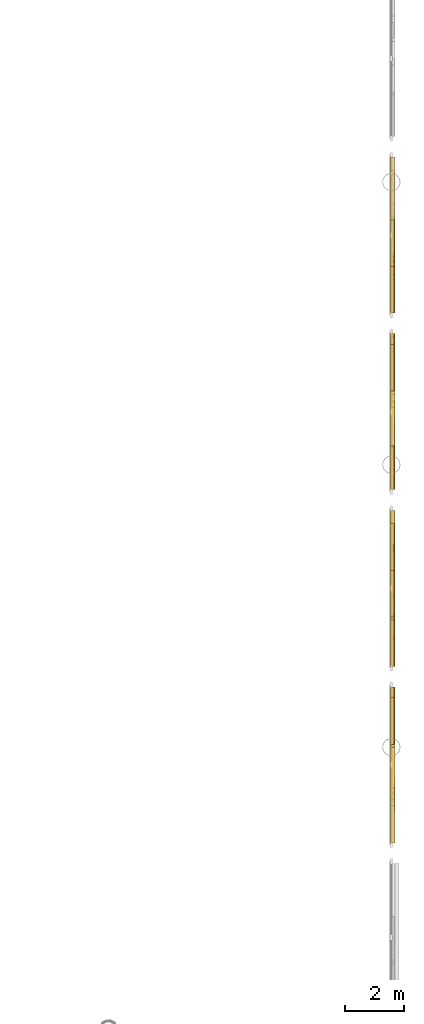
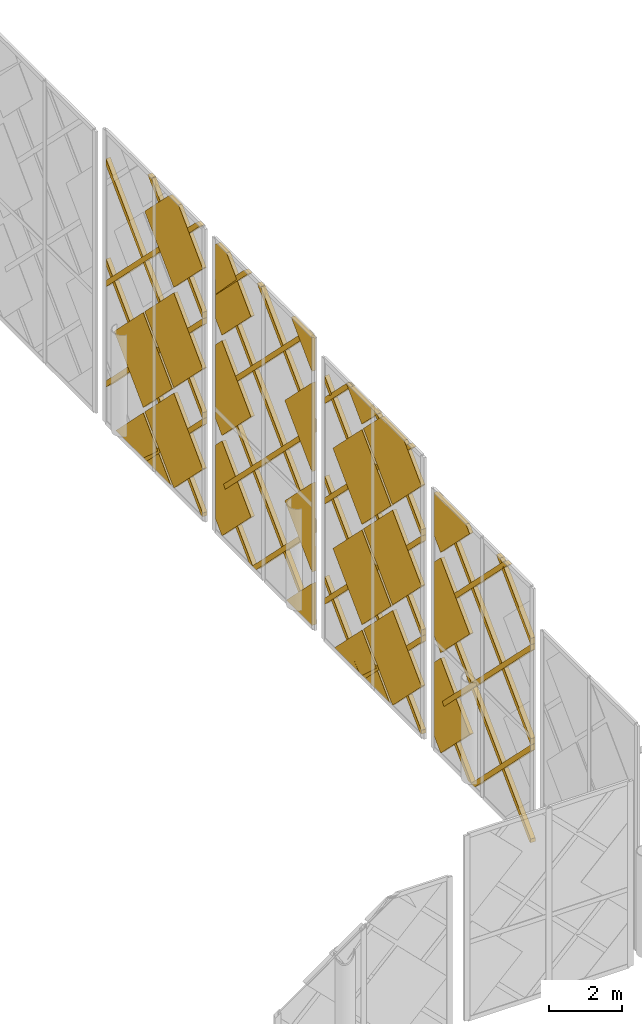
# One storey, part 50 of 53: 51 coverings.
"""IFC4 building model written with IfcOpenShell, lengths in metres."""

from ifc_helpers import new_model, si_unit, direction, frame, origin, place, context, subcontext, project, spatial, polyline, outline, extrude, material, layer, layer_set, type_object, element, save


model = new_model("IFC4")

# Units and contexts
model_context = context("Model", 3, precision=1e-05, world=origin(), true_north=direction((0.0, 1.0)))
body_context = subcontext(model_context, "Body", "Model", "MODEL_VIEW")
ifc_project = project(units=[si_unit("LENGTHUNIT", "METRE"), si_unit("AREAUNIT", "SQUARE_METRE"), si_unit("VOLUMEUNIT", "CUBIC_METRE"), si_unit("PLANEANGLEUNIT", "RADIAN"), si_unit("MASSUNIT", "GRAM", prefix="KILO")], contexts=[model_context])

# Site, building, storey
site_placement = place(None, origin())
site = spatial("IfcSite", under=ifc_project, at=site_placement, CompositionType="ELEMENT")
building_placement = place(site_placement, origin())
building = spatial("IfcBuilding", under=site, at=building_placement, Name="Zevrakil Square Congress Hotel", CompositionType="ELEMENT")
storey_placement = place(building_placement, frame((0.0, 0.0, 14.699951171875)))
storey = spatial("IfcBuildingStorey", under=building, at=storey_placement, Name="L04", CompositionType="ELEMENT", Elevation=14.699951171875)

# Coverings
ifc_material_1 = material(Name="Architectural White Fibre-C GRC", Category="concrete")
ifc_layer_1 = layer(ifc_material_1, 0.06494140625)
ifc_layer_set_1 = layer_set([ifc_layer_1], Name="Architectural White Fibre-C GRC")
covering_type_1 = type_object("IfcCoveringType", Name="COV-DIA-WHITE", PredefinedType="CLADDING", material=ifc_layer_set_1)
covering_1_placement = place(storey_placement, frame((165.69482421875, 76.090087890625, -0.169921875), z_axis=(0.99999985684, 5.4809643e-05, 0.000532274308), x_axis=(-0.00033761853, -0.707106744383, 0.707106737389)))
element("IfcCovering", 1, at=covering_1_placement, inside=storey, type_object=covering_type_1, Name="L04 45-degree white GRC diamond facade cassette 1284", PredefinedType="CLADDING", context=body_context, shape_type="SweptSolid", body=[
    extrude(outline(polyline([(0.0, 0.0), (2.2487239794044704, 0.0), (2.2485516645083075, -2.2485514384696526), (1.739628078143224, -2.248551405931103), (7.990954326020372e-08, -0.5089235904418198), (0.0, 0.0)])), origin(), (0.0, 0.0, -1.0), 0.1201171875),
])
covering_2_placement = place(storey_placement, frame((165.69287109375, 76.090087890625, 3.18994140625), z_axis=(0.999999812837, 0.0, 0.000611822413), x_axis=(-0.000432623818, -0.707106714509, 0.707106715519)))
element("IfcCovering", 2, at=covering_2_placement, inside=storey, type_object=covering_type_1, Name="L04 45-degree white GRC diamond facade cassette 1286", PredefinedType="CLADDING", context=body_context, shape_type="SweptSolid", body=[
    extrude(outline(polyline([(0.0, 0.0), (2.2487240723319237, 0.0), (2.248724496421547, -2.2487240723318838), (1.7396282720071192, -2.248551428883111), (0.00017273945985246675, -0.5090962243818599), (0.0, 0.0)])), origin(), (0.0, 0.0, -1.0), 0.1201171875),
])
covering_3_placement = place(storey_placement, frame((165.69091796875, 76.090087890625, 6.550048828125), z_axis=(0.999999742393, 4.4246905e-05, 0.000716418853), x_axis=(-0.0004752974, -0.707106716919, 0.707106685714)))
element("IfcCovering", 3, at=covering_3_placement, inside=storey, type_object=covering_type_1, Name="L04 45-degree white GRC diamond facade cassette 1288", PredefinedType="CLADDING", context=body_context, shape_type="SweptSolid", body=[
    extrude(outline(polyline([(0.0, 0.0), (2.248724070442778, 0.0), (2.2487241802122186, -0.28415481722253244), (1.011977959507782, -1.5209012603177094), (0.00017273827803765407, -0.5090962240690396), (0.0, 0.0)])), origin(), (0.0, 0.0, -1.0), 0.1201171875),
])
covering_4_placement = place(storey_placement, frame((165.694091796875, 80.409912109375, 1.330078125), z_axis=(0.999999790873, 0.0, 0.000646725815), x_axis=(0.000457304257, 0.707106707249, -0.707106707249)))
element("IfcCovering", 4, at=covering_4_placement, inside=storey, type_object=covering_type_1, Name="L04 45-degree white GRC diamond facade cassette 1296", PredefinedType="CLADDING", context=body_context, shape_type="SweptSolid", body=[
    extrude(outline(polyline([(0.0, 0.0), (2.1354765131557993, 0.0), (4.465861884739297e-07, -2.1354765131557527), (0.0, 0.0)])), origin(), (0.0, 0.0, -1.0), 0.1201171875),
])
covering_5_placement = place(storey_placement, frame((165.693115234375, 78.72998046875, 3.010009765625), z_axis=(0.999999856477, 2.18091e-07, 0.000535767289), x_axis=(0.000378661405, 0.70716100192, -0.707052454899)))
element("IfcCovering", 5, at=covering_5_placement, inside=storey, type_object=covering_type_1, Name="L04 45-degree white GRC diamond facade cassette 1297", PredefinedType="CLADDING", context=body_context, shape_type="SweptSolid", body=[
    extrude(outline(polyline([(0.0, 0.0), (2.2485514420054766, 2.220446049250313e-16), (2.2483791200414514, -2.248723969768042), (0.013811095500841475, -2.2485525000985067), (-0.00017114298715226184, -2.234568117059487), (0.0, 0.0)])), origin(), (0.0, 0.0, -1.0), 0.1201171875),
])
covering_6_placement = place(storey_placement, frame((165.69189453125, 80.409912109375, 4.68994140625), z_axis=(0.999999811377, 0.0, 0.000614203339), x_axis=(0.000434274062, 0.707160967493, -0.707052457361)))
element("IfcCovering", 6, at=covering_6_placement, inside=storey, type_object=covering_type_1, Name="L04 45-degree white GRC diamond facade cassette 1298", PredefinedType="CLADDING", context=body_context, shape_type="SweptSolid", body=[
    extrude(outline(polyline([(0.0, 0.0), (2.248551551510707, 2.220446049250313e-16), (2.248379328934688, -2.248723959707921), (-0.00017198403640539262, -2.2483789048388836), (0.0, 0.0)])), origin(), (0.0, 0.0, -1.0), 0.1201171875),
])
covering_7_placement = place(storey_placement, frame((165.69091796875, 78.72998046875, 6.3701171875), z_axis=(0.999999812584, 0.0, 0.000612235231), x_axis=(0.000432915724, 0.707106714509, -0.707106715341)))
element("IfcCovering", 7, at=covering_7_placement, inside=storey, type_object=covering_type_1, Name="L04 45-degree white GRC diamond facade cassette 1299", PredefinedType="CLADDING", context=body_context, shape_type="SweptSolid", body=[
    extrude(outline(polyline([(0.0, 0.0), (2.2487240723329105, -2.220446049250313e-16), (2.2487244964245092, -2.248724072332871), (0.014156369068123897, -2.2487240696714954), (4.240832742752332e-07, -2.2345681273563454), (0.0, 0.0)])), origin(), (0.0, 0.0, -1.0), 0.1201171875),
])
covering_8_placement = place(storey_placement, frame((165.68994140625, 80.409912109375, 8.050048828125), z_axis=(0.999999811377, 0.0, 0.000614203339), x_axis=(0.000434307387, 0.707106714509, -0.707106714488)))
element("IfcCovering", 8, at=covering_8_placement, inside=storey, type_object=covering_type_1, Name="L04 45-degree white GRC diamond facade cassette 1300", PredefinedType="CLADDING", context=body_context, shape_type="SweptSolid", body=[
    extrude(outline(polyline([(0.0, 0.0), (2.2487240723349844, 0.0), (2.2485518629555123, -2.248551438892285), (0.00017305757096663932, -2.248551438827165), (0.0, 0.0)])), origin(), (0.0, 0.0, -1.0), 0.1201171875),
])
covering_9_placement = place(storey_placement, frame((165.68994140625, 80.320068359375, 8.14013671875), z_axis=(0.999999839437, -5.25783e-07, 0.000566679146), x_axis=(0.000400330919, -0.707106714898, -0.707106734151)))
element("IfcCovering", 9, at=covering_9_placement, inside=storey, type_object=covering_type_1, Name="L04 45-degree white GRC diamond facade cassette 1301", PredefinedType="CLADDING", context=body_context, shape_type="SweptSolid", body=[
    extrude(outline(polyline([(0.0, 0.0), (2.2487240710395673, -2.220446049250313e-16), (2.248723649670615, -2.2345681259311787), (2.2345677043091996, -2.2487240686300325), (0.9037360295019364, -2.248551399190312), (0.00017241969329773177, -1.3449876199706976), (0.0, 0.0)])), origin(), (0.0, 0.0, -1.0), 0.1201171875),
])
covering_10_placement = place(storey_placement, frame((165.68994140625, 80.409912109375, 8.22998046875), z_axis=(0.999999839225, 0.0, 0.000567054063), x_axis=(-0.000401024652, -0.707006461058, 0.707206973383)))
element("IfcCovering", 10, at=covering_10_placement, inside=storey, type_object=covering_type_1, Name="L04 45-degree white GRC diamond facade cassette 1302", PredefinedType="CLADDING", context=body_context, shape_type="SweptSolid", body=[
    extrude(outline(polyline([(0.0, 0.0), (1.217584125698602, -1.1102230246251565e-16), (0.00017285376530440377, -1.2177567346701088), (0.0, 0.0)])), origin(), (0.0, 0.0, -1.0), 0.1201171875),
])
covering_11_placement = place(storey_placement, frame((165.695068359375, 84.56005859375, -0.179931640625), z_axis=(0.999999760125, 0.0, 0.000692640526), x_axis=(0.0, -1.0, 0.0)))
element("IfcCovering", 11, at=covering_11_placement, inside=storey, type_object=covering_type_1, Name="L04 45-degree white GRC diamond facade cassette 1311", PredefinedType="CLADDING", context=body_context, shape_type="SweptSolid", body=[
    extrude(outline(polyline([(0.0, 0.0), (1.41015625, 0.0), (1.41015625, -1.4099124475784226), (0.0, 0.0)])), origin(), (0.0, 0.0, -1.0), 0.1201171875),
])
covering_12_placement = place(storey_placement, frame((165.69482421875, 88.090087890625, -0.169921875), z_axis=(0.99999985684, 5.4809643e-05, 0.000532274308), x_axis=(-0.00033761853, -0.707106744383, 0.707106737389)))
element("IfcCovering", 12, at=covering_12_placement, inside=storey, type_object=covering_type_1, Name="L04 45-degree white GRC diamond facade cassette 1312", PredefinedType="CLADDING", context=body_context, shape_type="SweptSolid", body=[
    extrude(outline(polyline([(0.0, 0.0), (2.2487239794044704, 0.0), (2.2485516645083075, -2.2485514384696526), (1.739628078143224, -2.248551405931103), (7.990954326020372e-08, -0.5089235904418198), (0.0, 0.0)])), origin(), (0.0, 0.0, -1.0), 0.1201171875),
])
covering_13_placement = place(storey_placement, frame((165.693115234375, 84.639892578125, 3.10009765625), z_axis=(0.9999998322, -8.1926907e-05, 0.000573488352), x_axis=(0.000347586468, -0.707106738472, -0.707106738472)))
element("IfcCovering", 13, at=covering_13_placement, inside=storey, type_object=covering_type_1, Name="L04 45-degree white GRC diamond facade cassette 1313", PredefinedType="CLADDING", context=body_context, shape_type="SweptSolid", body=[
    extrude(outline(polyline([(0.0, 0.0), (2.107164524546562, -2.220446049250313e-16), (-3.394399104017509e-07, -2.1071646235498394), (0.0, 0.0)])), origin(), (0.0, 0.0, -1.0), 0.1201171875),
])
covering_14_placement = place(storey_placement, frame((165.69287109375, 88.090087890625, 3.18994140625), z_axis=(0.999999812837, 0.0, 0.000611822413), x_axis=(-0.000432623818, -0.707106714509, 0.707106715519)))
element("IfcCovering", 14, at=covering_14_placement, inside=storey, type_object=covering_type_1, Name="L04 45-degree white GRC diamond facade cassette 1314", PredefinedType="CLADDING", context=body_context, shape_type="SweptSolid", body=[
    extrude(outline(polyline([(0.0, 0.0), (2.2487240723319237, 0.0), (2.248724496421547, -2.2487240723318838), (1.7396282720071192, -2.248551428883111), (0.00017273945985246675, -0.5090962243818599), (0.0, 0.0)])), origin(), (0.0, 0.0, -1.0), 0.1201171875),
])
covering_15_placement = place(storey_placement, frame((165.69091796875, 84.639892578125, 6.4599609375), z_axis=(0.9999998322, 8.1926907e-05, 0.000573488352), x_axis=(0.000463448602, -0.707106705249, -0.707106705249)))
element("IfcCovering", 15, at=covering_15_placement, inside=storey, type_object=covering_type_1, Name="L04 45-degree white GRC diamond facade cassette 1315", PredefinedType="CLADDING", context=body_context, shape_type="SweptSolid", body=[
    extrude(outline(polyline([(0.0, 0.0), (2.107164623549867, -2.220446049250313e-16), (-3.3943989441453937e-07, -2.1071645245465347), (0.0, 0.0)])), origin(), (0.0, 0.0, -1.0), 0.1201171875),
])
covering_16_placement = place(storey_placement, frame((165.69091796875, 88.090087890625, 6.550048828125), z_axis=(0.999999829685, 1.5375382e-05, 0.000583432269), x_axis=(-0.000401676919, -0.707106714383, 0.707106733902)))
element("IfcCovering", 16, at=covering_16_placement, inside=storey, type_object=covering_type_1, Name="L04 45-degree white GRC diamond facade cassette 1316", PredefinedType="CLADDING", context=body_context, shape_type="SweptSolid", body=[
    extrude(outline(polyline([(0.0, 0.0), (2.2487240711402685, 0.0), (2.248724391218561, -1.875145126709519), (1.8753181843800781, -2.2485514040144494), (1.7396282710069908, -2.2485514289652118), (0.00017273856993038628, -0.5090962241411041), (0.0, 0.0)])), origin(), (0.0, 0.0, -1.0), 0.1201171875),
])
covering_17_placement = place(storey_placement, frame((165.689697265625, 83.14990234375, 8.330078125), z_axis=(0.999999907623, 0.0, 0.000429830177), x_axis=(-0.000429830177, 0.0, 0.999999907623)))
element("IfcCovering", 17, at=covering_17_placement, inside=storey, type_object=covering_type_1, Name="L04 45-degree white GRC diamond facade cassette 1317", PredefinedType="CLADDING", context=body_context, shape_type="SweptSolid", body=[
    extrude(outline(polyline([(0.0, 0.0), (1.135986433064013, 0.0), (1.135986433064013, -1.135986328125), (0.0, 0.0)])), origin(), (0.0, 0.0, -1.0), 0.1201171875),
])
covering_18_placement = place(storey_placement, frame((165.694091796875, 92.409912109375, 1.330078125), z_axis=(0.999999790873, 0.0, 0.000646725815), x_axis=(0.000457304257, 0.707106707249, -0.707106707249)))
element("IfcCovering", 18, at=covering_18_placement, inside=storey, type_object=covering_type_1, Name="L04 45-degree white GRC diamond facade cassette 1326", PredefinedType="CLADDING", context=body_context, shape_type="SweptSolid", body=[
    extrude(outline(polyline([(0.0, 0.0), (2.1354765131557993, 0.0), (4.465861884739297e-07, -2.1354765131557527), (0.0, 0.0)])), origin(), (0.0, 0.0, -1.0), 0.1201171875),
])
covering_19_placement = place(storey_placement, frame((165.693115234375, 90.72998046875, 3.010009765625), z_axis=(0.999999856477, 2.18091e-07, 0.000535767289), x_axis=(0.000378661405, 0.70716100192, -0.707052454899)))
element("IfcCovering", 19, at=covering_19_placement, inside=storey, type_object=covering_type_1, Name="L04 45-degree white GRC diamond facade cassette 1327", PredefinedType="CLADDING", context=body_context, shape_type="SweptSolid", body=[
    extrude(outline(polyline([(0.0, 0.0), (2.2485514420054766, 2.220446049250313e-16), (2.2483791200414514, -2.248723969768042), (0.013811095500841475, -2.2485525000985067), (-0.00017114298715226184, -2.234568117059487), (0.0, 0.0)])), origin(), (0.0, 0.0, -1.0), 0.1201171875),
])
covering_20_placement = place(storey_placement, frame((165.69189453125, 92.409912109375, 4.68994140625), z_axis=(0.999999811377, 0.0, 0.000614203339), x_axis=(0.000434274062, 0.707160967493, -0.707052457361)))
element("IfcCovering", 20, at=covering_20_placement, inside=storey, type_object=covering_type_1, Name="L04 45-degree white GRC diamond facade cassette 1328", PredefinedType="CLADDING", context=body_context, shape_type="SweptSolid", body=[
    extrude(outline(polyline([(0.0, 0.0), (2.248551551510707, 2.220446049250313e-16), (2.248379328934688, -2.248723959707921), (-0.00017198403640539262, -2.2483789048388836), (0.0, 0.0)])), origin(), (0.0, 0.0, -1.0), 0.1201171875),
])
covering_21_placement = place(storey_placement, frame((165.69091796875, 90.72998046875, 6.3701171875), z_axis=(0.999999812584, 0.0, 0.000612235231), x_axis=(0.000432915724, 0.707106714509, -0.707106715341)))
element("IfcCovering", 21, at=covering_21_placement, inside=storey, type_object=covering_type_1, Name="L04 45-degree white GRC diamond facade cassette 1329", PredefinedType="CLADDING", context=body_context, shape_type="SweptSolid", body=[
    extrude(outline(polyline([(0.0, 0.0), (2.2487240723329105, -2.220446049250313e-16), (2.2487244964245092, -2.248724072332871), (0.014156369068123897, -2.2487240696714954), (4.240832742752332e-07, -2.2345681273563454), (0.0, 0.0)])), origin(), (0.0, 0.0, -1.0), 0.1201171875),
])
covering_22_placement = place(storey_placement, frame((165.68994140625, 92.320068359375, 8.14013671875), z_axis=(0.999999830637, -2.45038e-07, 0.000582000809), x_axis=(0.000411363489, -0.707106714688, -0.707106728028)))
element("IfcCovering", 22, at=covering_22_placement, inside=storey, type_object=covering_type_1, Name="L04 45-degree white GRC diamond facade cassette 1331", PredefinedType="CLADDING", context=body_context, shape_type="SweptSolid", body=[
    extrude(outline(polyline([(0.0, 0.0), (2.2487240717448147, 0.0), (2.2487236489450813, -2.234568126659195), (2.234567703706238, -2.2487240692314816), (0.3734058880208647, -2.2485514045336545), (0.00017231449633059448, -1.875317760809525), (0.0, 0.0)])), origin(), (0.0, 0.0, -1.0), 0.1201171875),
])
ifc_material_2 = material(Name="Anodised Champagne Aluminium", Category="aluminium")
ifc_layer_2 = layer(ifc_material_2, 0.0849609375)
ifc_layer_set_2 = layer_set([ifc_layer_2], Name="Anodised Champagne Aluminium")
covering_type_2 = type_object("IfcCoveringType", Name="COV-DIAGRID-45", PredefinedType="MOLDING", material=ifc_layer_set_2)
covering_23_placement = place(storey_placement, frame((165.716064453125, 71.14990234375, 6.453857421875), z_axis=(0.999999574395, -0.000266426087, 0.000883304948), x_axis=(-0.000883304999, -7.0901e-08, 0.999999609886)))
element("IfcCovering", 23, at=covering_23_placement, inside=storey, type_object=covering_type_2, Name="L04 45-degree aluminium diagrid rib 1289", PredefinedType="MOLDING", context=body_context, shape_type="SweptSolid", body=[
    extrude(outline(polyline([(0.0, 0.0), (0.2124024765395195, 0.0), (1.8872072545143885, -1.6750490213801978), (1.887207239472112, -1.887207216975399), (0.0, 0.0)])), origin(), (0.0, 0.0, -1.0), 0.14501953125),
])
covering_24_placement = place(storey_placement, frame((165.718017578125, 71.14990234375, 3.093994140625), z_axis=(0.99999990472, 0.000308497425, 0.000308852427), x_axis=(-0.000308852413, -9.528e-08, 0.999999952305)))
element("IfcCovering", 24, at=covering_24_placement, inside=storey, type_object=covering_type_2, Name="L04 45-degree aluminium diagrid rib 1290", PredefinedType="MOLDING", context=body_context, shape_type="SweptSolid", body=[
    extrude(outline(polyline([(0.0, 0.0), (0.21215819300613317, -2.8078904387053947e-24), (5.247070562758569, -5.034912848904865), (5.247070542520835, -5.247315182547628), (0.0, 0.0)])), origin(), (0.0, 0.0, -1.0), 0.14501953125),
])
covering_25_placement = place(storey_placement, frame((165.719970703125, 71.236083984375, -0.179931640625), z_axis=(0.999999877937, 0.000478784596, 0.000122029576), x_axis=(0.000478784592, -0.999999885383, 5.8426e-08)))
element("IfcCovering", 25, at=covering_25_placement, inside=storey, type_object=covering_type_2, Name="L04 45-degree aluminium diagrid rib 1291", PredefinedType="MOLDING", context=body_context, shape_type="SweptSolid", body=[
    extrude(outline(polyline([(0.0, 0.0), (0.08618163074708864, 0.0), (0.08618163810738114, -0.1259765615620276), (-5.213867792460008, -5.426025737525873), (-5.213867804855539, -5.213867535980521), (0.0, 0.0)])), origin(), (0.0, 0.0, -1.0), 0.14501953125),
])
covering_26_placement = place(storey_placement, frame((165.719970703125, 74.59619140625, -0.179931640625), z_axis=(0.999999903024, 0.000311410035, 0.000311410035), x_axis=(0.000311410019, -0.999999951512, 9.6976e-08)))
element("IfcCovering", 26, at=covering_26_placement, inside=storey, type_object=covering_type_2, Name="L04 45-degree aluminium diagrid rib 1292", PredefinedType="MOLDING", context=body_context, shape_type="SweptSolid", body=[
    extrude(outline(polyline([(0.0, 0.0), (0.21240233345101264, 0.0), (-1.8537598555103045, -2.0661623893299237), (-1.8537598761082796, -1.853760055878912), (0.0, 0.0)])), origin(), (0.0, 0.0, -1.0), 0.14501953125),
])
covering_27_placement = place(storey_placement, frame((165.718017578125, 71.14990234375, 2.89404296875), z_axis=(0.999999905696, -0.00030708991, 0.00030708991), x_axis=(-0.000307089896, 9.4304e-08, 0.999999952848)))
element("IfcCovering", 27, at=covering_27_placement, inside=storey, type_object=covering_type_2, Name="L04 45-degree aluminium diagrid rib 1293", PredefinedType="MOLDING", context=body_context, shape_type="SweptSolid", body=[
    extrude(outline(polyline([(0.0, 0.0), (0.2121581931212936, 0.0), (-3.0739747543193885, -3.2861332573369064), (-3.073974774326802, -3.0739750642156136), (0.0, 0.0)])), origin(), (0.0, 0.0, -1.0), 0.14501953125),
])
covering_28_placement = place(storey_placement, frame((165.716064453125, 71.14990234375, 6.25390625), z_axis=(0.999999834662, -7.68172e-07, 0.000575043033), x_axis=(-0.000575043033, 4.42e-10, 0.999999834663)))
element("IfcCovering", 28, at=covering_28_placement, inside=storey, type_object=covering_type_2, Name="L04 45-degree aluminium diagrid rib 1294", PredefinedType="MOLDING", context=body_context, shape_type="SweptSolid", body=[
    extrude(outline(polyline([(0.0, 0.0), (0.2121581680473443, 0.0), (-5.087647325552662, -5.300048830373941), (-5.3000497745760065, -5.300048830561482), (0.0, 0.0)])), origin(), (0.0, 0.0, -1.0), 0.14501953125),
])
covering_29_placement = place(storey_placement, frame((165.71484375, 72.4228515625, 8.341064453125), z_axis=(0.999999581473, 0.000279617206, 0.000871130299), x_axis=(-0.0002796171, 0.999999960907, -2.43583e-07)))
element("IfcCovering", 29, at=covering_29_placement, inside=storey, type_object=covering_type_2, Name="L04 45-degree aluminium diagrid rib 1295", PredefinedType="MOLDING", context=body_context, shape_type="SweptSolid", body=[
    extrude(outline(polyline([(0.0, 0.0), (0.21215819483112233, 0.0), (4.027099766805976, -3.814941872835875), (4.027099750218219, -4.027100208139122), (0.0, 0.0)])), origin(), (0.0, 0.0, -1.0), 0.14501953125),
])
covering_30_placement = place(storey_placement, frame((165.716064453125, 77.14990234375, 6.453857421875), z_axis=(0.99999957125, -0.000261361694, 0.000888363516), x_axis=(-0.000888363565, -6.8231e-08, 0.999999605405)))
element("IfcCovering", 30, at=covering_30_placement, inside=storey, type_object=covering_type_2, Name="L04 45-degree aluminium diagrid rib 1303", PredefinedType="MOLDING", context=body_context, shape_type="SweptSolid", body=[
    extrude(outline(polyline([(0.0, 0.0), (0.21240247682273486, -1.3234889800848443e-23), (2.6372073433563488, -2.425049090892764), (2.6372073288805025, -2.6372072867715066), (0.0, 0.0)])), origin(), (0.0, 0.0, -1.0), 0.14501953125),
])
covering_31_placement = place(storey_placement, frame((165.718017578125, 77.14990234375, 3.093994140625), z_axis=(0.999999833392, 4.64879e-05, 0.000575373897), x_axis=(-0.000575373897, -2.6748e-08, 0.999999834472)))
element("IfcCovering", 31, at=covering_31_placement, inside=storey, type_object=covering_type_2, Name="L04 45-degree aluminium diagrid rib 1304", PredefinedType="MOLDING", context=body_context, shape_type="SweptSolid", body=[
    extrude(outline(polyline([(0.0, 0.0), (0.2121581680069672, 7.019726096763487e-25), (5.5122079436724105, -5.300048981292179), (5.300049635193301, -5.300048969942592), (0.0, 0.0)])), origin(), (0.0, 0.0, -1.0), 0.14501953125),
])
covering_32_placement = place(storey_placement, frame((165.719970703125, 77.236083984375, -0.179931640625), z_axis=(0.999999877937, 0.000478784596, 0.000122029576), x_axis=(0.000478784592, -0.999999885383, 5.8426e-08)))
element("IfcCovering", 32, at=covering_32_placement, inside=storey, type_object=covering_type_2, Name="L04 45-degree aluminium diagrid rib 1305", PredefinedType="MOLDING", context=body_context, shape_type="SweptSolid", body=[
    extrude(outline(polyline([(0.0, 0.0), (0.08618163074708864, 0.0), (0.08618163810738114, -0.1259765615620276), (-5.213867792460008, -5.426025737525873), (-5.213867804855539, -5.213867535980521), (0.0, 0.0)])), origin(), (0.0, 0.0, -1.0), 0.14501953125),
])
covering_33_placement = place(storey_placement, frame((165.719970703125, 80.59619140625, -0.179931640625), z_axis=(0.999999903024, 0.000311410035, 0.000311410035), x_axis=(0.000311410019, -0.999999951512, 9.6976e-08)))
element("IfcCovering", 33, at=covering_33_placement, inside=storey, type_object=covering_type_2, Name="L04 45-degree aluminium diagrid rib 1306", PredefinedType="MOLDING", context=body_context, shape_type="SweptSolid", body=[
    extrude(outline(polyline([(0.0, 0.0), (0.21240233345101264, 0.0), (-1.8537598555103045, -2.0661623893299237), (-1.8537598761082796, -1.853760055878912), (0.0, 0.0)])), origin(), (0.0, 0.0, -1.0), 0.14501953125),
])
covering_34_placement = place(storey_placement, frame((165.718017578125, 77.14990234375, 2.89404296875), z_axis=(0.999999905696, -0.00030708991, 0.00030708991), x_axis=(-0.000307089896, 9.4304e-08, 0.999999952848)))
element("IfcCovering", 34, at=covering_34_placement, inside=storey, type_object=covering_type_2, Name="L04 45-degree aluminium diagrid rib 1307", PredefinedType="MOLDING", context=body_context, shape_type="SweptSolid", body=[
    extrude(outline(polyline([(0.0, 0.0), (0.2121581931212936, 0.0), (-3.0739747543193885, -3.2861332573369064), (-3.073974774326802, -3.0739750642156136), (0.0, 0.0)])), origin(), (0.0, 0.0, -1.0), 0.14501953125),
])
covering_35_placement = place(storey_placement, frame((165.716064453125, 77.14990234375, 6.25390625), z_axis=(0.999999834662, -7.68172e-07, 0.000575043033), x_axis=(-0.000575043033, 4.42e-10, 0.999999834663)))
element("IfcCovering", 35, at=covering_35_placement, inside=storey, type_object=covering_type_2, Name="L04 45-degree aluminium diagrid rib 1308", PredefinedType="MOLDING", context=body_context, shape_type="SweptSolid", body=[
    extrude(outline(polyline([(0.0, 0.0), (0.2121581680473443, 0.0), (-5.087647325552662, -5.300048830373941), (-5.3000497745760065, -5.300048830561482), (0.0, 0.0)])), origin(), (0.0, 0.0, -1.0), 0.14501953125),
])
covering_36_placement = place(storey_placement, frame((165.71435546875, 77.6728515625, 9.091064453125), z_axis=(0.999999578623, 0.00027483814, 0.000875909362), x_axis=(-0.000274838034, 0.999999962232, -2.40733e-07)))
element("IfcCovering", 36, at=covering_36_placement, inside=storey, type_object=covering_type_2, Name="L04 45-degree aluminium diagrid rib 1309", PredefinedType="MOLDING", context=body_context, shape_type="SweptSolid", body=[
    extrude(outline(polyline([(0.0, 0.0), (0.21215819511220851, 0.0), (4.777099789796515, -4.564942007394465), (4.777099773770932, -4.777100342978797), (0.0, 0.0)])), origin(), (0.0, 0.0, -1.0), 0.14501953125),
])
covering_37_placement = place(storey_placement, frame((165.71435546875, 81.032958984375, 9.091064453125), z_axis=(0.999999921968, -0.000279503233, 0.000279181965), x_axis=(0.000279503223, 0.999999960939, 7.8032e-08)))
element("IfcCovering", 37, at=covering_37_placement, inside=storey, type_object=covering_type_2, Name="L04 45-degree aluminium diagrid rib 1310", PredefinedType="MOLDING", context=body_context, shape_type="SweptSolid", body=[
    extrude(outline(polyline([(0.0, 0.0), (0.21215819483788217, 0.0), (1.416992242849176, -1.2048341419000534), (1.41699222627494, -1.4172364773724604), (0.0, 0.0)])), origin(), (0.0, 0.0, -1.0), 0.14501953125),
])
covering_38_placement = place(storey_placement, frame((165.716064453125, 83.14990234375, 6.453857421875), z_axis=(0.999999570276, -0.000259809764, 0.000889913661), x_axis=(-0.000889913709, -6.7423e-08, 0.999999604027)))
element("IfcCovering", 38, at=covering_38_placement, inside=storey, type_object=covering_type_2, Name="L04 45-degree aluminium diagrid rib 1318", PredefinedType="MOLDING", context=body_context, shape_type="SweptSolid", body=[
    extrude(outline(polyline([(0.0, 0.0), (0.21240247690843522, -1.3234889800848443e-23), (3.0122073878201516, -2.800049125721742), (3.0122073735157064, -3.0122073216862835), (0.0, 0.0)])), origin(), (0.0, 0.0, -1.0), 0.14501953125),
])
covering_39_placement = place(storey_placement, frame((165.718017578125, 83.14990234375, 3.093994140625), z_axis=(0.999999833392, 4.64879e-05, 0.000575373897), x_axis=(-0.000575373897, -2.6748e-08, 0.999999834472)))
element("IfcCovering", 39, at=covering_39_placement, inside=storey, type_object=covering_type_2, Name="L04 45-degree aluminium diagrid rib 1319", PredefinedType="MOLDING", context=body_context, shape_type="SweptSolid", body=[
    extrude(outline(polyline([(0.0, 0.0), (0.2121581680069672, 7.019726096763487e-25), (5.5122079436724105, -5.300048981292179), (5.300049635193301, -5.300048969942592), (0.0, 0.0)])), origin(), (0.0, 0.0, -1.0), 0.14501953125),
])
covering_40_placement = place(storey_placement, frame((165.719970703125, 83.236083984375, -0.179931640625), z_axis=(0.999999877937, 0.000478784596, 0.000122029576), x_axis=(0.000478784592, -0.999999885383, 5.8426e-08)))
element("IfcCovering", 40, at=covering_40_placement, inside=storey, type_object=covering_type_2, Name="L04 45-degree aluminium diagrid rib 1320", PredefinedType="MOLDING", context=body_context, shape_type="SweptSolid", body=[
    extrude(outline(polyline([(0.0, 0.0), (0.08618163074708864, 0.0), (0.08618163810738114, -0.1259765615620276), (-5.213867792460008, -5.426025737525873), (-5.213867804855539, -5.213867535980521), (0.0, 0.0)])), origin(), (0.0, 0.0, -1.0), 0.14501953125),
])
covering_41_placement = place(storey_placement, frame((165.719970703125, 86.59619140625, -0.179931640625), z_axis=(0.999999903024, 0.000311410035, 0.000311410035), x_axis=(0.000311410019, -0.999999951512, 9.6976e-08)))
element("IfcCovering", 41, at=covering_41_placement, inside=storey, type_object=covering_type_2, Name="L04 45-degree aluminium diagrid rib 1321", PredefinedType="MOLDING", context=body_context, shape_type="SweptSolid", body=[
    extrude(outline(polyline([(0.0, 0.0), (0.21240233345101264, 0.0), (-1.8537598555103045, -2.0661623893299237), (-1.8537598761082796, -1.853760055878912), (0.0, 0.0)])), origin(), (0.0, 0.0, -1.0), 0.14501953125),
])
covering_42_placement = place(storey_placement, frame((165.718017578125, 83.14990234375, 2.89404296875), z_axis=(0.999999905696, -0.00030708991, 0.00030708991), x_axis=(-0.000307089896, 9.4304e-08, 0.999999952848)))
element("IfcCovering", 42, at=covering_42_placement, inside=storey, type_object=covering_type_2, Name="L04 45-degree aluminium diagrid rib 1322", PredefinedType="MOLDING", context=body_context, shape_type="SweptSolid", body=[
    extrude(outline(polyline([(0.0, 0.0), (0.2121581931212936, 0.0), (-3.0739747543193885, -3.2861332573369064), (-3.073974774326802, -3.0739750642156136), (0.0, 0.0)])), origin(), (0.0, 0.0, -1.0), 0.14501953125),
])
covering_43_placement = place(storey_placement, frame((165.716064453125, 83.14990234375, 6.25390625), z_axis=(0.999999834662, -7.68172e-07, 0.000575043033), x_axis=(-0.000575043033, 4.42e-10, 0.999999834663)))
element("IfcCovering", 43, at=covering_43_placement, inside=storey, type_object=covering_type_2, Name="L04 45-degree aluminium diagrid rib 1323", PredefinedType="MOLDING", context=body_context, shape_type="SweptSolid", body=[
    extrude(outline(polyline([(0.0, 0.0), (0.2121581680473443, 0.0), (-5.087647325552662, -5.300048830373941), (-5.3000497745760065, -5.300048830561482), (0.0, 0.0)])), origin(), (0.0, 0.0, -1.0), 0.14501953125),
])
covering_44_placement = place(storey_placement, frame((165.714111328125, 83.2978515625, 9.466064453125), z_axis=(0.999999577504, 0.000272981348, 0.000877766152), x_axis=(-0.000272981243, 0.999999962741, -2.39614e-07)))
element("IfcCovering", 44, at=covering_44_placement, inside=storey, type_object=covering_type_2, Name="L04 45-degree aluminium diagrid rib 1324", PredefinedType="MOLDING", context=body_context, shape_type="SweptSolid", body=[
    extrude(outline(polyline([(0.0, 0.0), (0.21215819522011076, 0.0), (5.152099801339194, -4.9399420747833425), (5.152099785529415, -5.152100410475578), (0.0, 0.0)])), origin(), (0.0, 0.0, -1.0), 0.14501953125),
])
covering_45_placement = place(storey_placement, frame((165.714111328125, 86.657958984375, 9.466064453125), z_axis=(0.999999916124, -0.00028978025, 0.000289447169), x_axis=(0.000289780238, 0.999999958014, 8.3876e-08)))
element("IfcCovering", 45, at=covering_45_placement, inside=storey, type_object=covering_type_2, Name="L04 45-degree aluminium diagrid rib 1325", PredefinedType="MOLDING", context=body_context, shape_type="SweptSolid", body=[
    extrude(outline(polyline([(0.0, 0.0), (0.21215819421726256, 0.0), (1.79199226273912, -1.5798342008592756), (1.7919922449236447, -1.7922365357117762), (0.0, 0.0)])), origin(), (0.0, 0.0, -1.0), 0.14501953125),
])
covering_46_placement = place(storey_placement, frame((165.716064453125, 89.14990234375, 6.453857421875), z_axis=(0.999999570276, -0.000259809764, 0.000889913661), x_axis=(-0.000889913709, -6.7423e-08, 0.999999604027)))
element("IfcCovering", 46, at=covering_46_placement, inside=storey, type_object=covering_type_2, Name="L04 45-degree aluminium diagrid rib 1333", PredefinedType="MOLDING", context=body_context, shape_type="SweptSolid", body=[
    extrude(outline(polyline([(0.0, 0.0), (0.21240247690843522, -1.3234889800848443e-23), (3.0122073878201516, -2.800049125721742), (3.0122073735157064, -3.0122073216862835), (0.0, 0.0)])), origin(), (0.0, 0.0, -1.0), 0.14501953125),
])
covering_47_placement = place(storey_placement, frame((165.718017578125, 89.14990234375, 3.093994140625), z_axis=(0.999999833392, 4.64879e-05, 0.000575373897), x_axis=(-0.000575373897, -2.6748e-08, 0.999999834472)))
element("IfcCovering", 47, at=covering_47_placement, inside=storey, type_object=covering_type_2, Name="L04 45-degree aluminium diagrid rib 1334", PredefinedType="MOLDING", context=body_context, shape_type="SweptSolid", body=[
    extrude(outline(polyline([(0.0, 0.0), (0.2121581680069672, 7.019726096763487e-25), (5.5122079436724105, -5.300048981292179), (5.300049635193301, -5.300048969942592), (0.0, 0.0)])), origin(), (0.0, 0.0, -1.0), 0.14501953125),
])
covering_48_placement = place(storey_placement, frame((165.719970703125, 89.236083984375, -0.179931640625), z_axis=(0.999999877937, 0.000478784596, 0.000122029576), x_axis=(0.000478784592, -0.999999885383, 5.8426e-08)))
element("IfcCovering", 48, at=covering_48_placement, inside=storey, type_object=covering_type_2, Name="L04 45-degree aluminium diagrid rib 1335", PredefinedType="MOLDING", context=body_context, shape_type="SweptSolid", body=[
    extrude(outline(polyline([(0.0, 0.0), (0.08618163074708864, 0.0), (0.08618163810738114, -0.1259765615620276), (-5.213867792460008, -5.426025737525873), (-5.213867804855539, -5.213867535980521), (0.0, 0.0)])), origin(), (0.0, 0.0, -1.0), 0.14501953125),
])
covering_49_placement = place(storey_placement, frame((165.718017578125, 89.14990234375, 2.89404296875), z_axis=(0.999999905696, -0.00030708991, 0.00030708991), x_axis=(-0.000307089896, 9.4304e-08, 0.999999952848)))
element("IfcCovering", 49, at=covering_49_placement, inside=storey, type_object=covering_type_2, Name="L04 45-degree aluminium diagrid rib 1337", PredefinedType="MOLDING", context=body_context, shape_type="SweptSolid", body=[
    extrude(outline(polyline([(0.0, 0.0), (0.2121581931212936, 0.0), (-3.0739747543193885, -3.2861332573369064), (-3.073974774326802, -3.0739750642156136), (0.0, 0.0)])), origin(), (0.0, 0.0, -1.0), 0.14501953125),
])
covering_50_placement = place(storey_placement, frame((165.716064453125, 89.14990234375, 6.25390625), z_axis=(0.999999834662, -7.68172e-07, 0.000575043033), x_axis=(-0.000575043033, 4.42e-10, 0.999999834663)))
element("IfcCovering", 50, at=covering_50_placement, inside=storey, type_object=covering_type_2, Name="L04 45-degree aluminium diagrid rib 1338", PredefinedType="MOLDING", context=body_context, shape_type="SweptSolid", body=[
    extrude(outline(polyline([(0.0, 0.0), (0.2121581680473443, 0.0), (-5.087647325552662, -5.300048830373941), (-5.3000497745760065, -5.300048830561482), (0.0, 0.0)])), origin(), (0.0, 0.0, -1.0), 0.14501953125),
])
covering_51_placement = place(storey_placement, frame((165.714111328125, 89.2978515625, 9.466064453125), z_axis=(0.999999577504, 0.000272981348, 0.000877766152), x_axis=(-0.000272981243, 0.999999962741, -2.39614e-07)))
element("IfcCovering", 51, at=covering_51_placement, inside=storey, type_object=covering_type_2, Name="L04 45-degree aluminium diagrid rib 1339", PredefinedType="MOLDING", context=body_context, shape_type="SweptSolid", body=[
    extrude(outline(polyline([(0.0, 0.0), (0.21215819522011076, 0.0), (5.152099801339194, -4.9399420747833425), (5.152099785529415, -5.152100410475578), (0.0, 0.0)])), origin(), (0.0, 0.0, -1.0), 0.14501953125),
])

save(model, "model.ifc")
